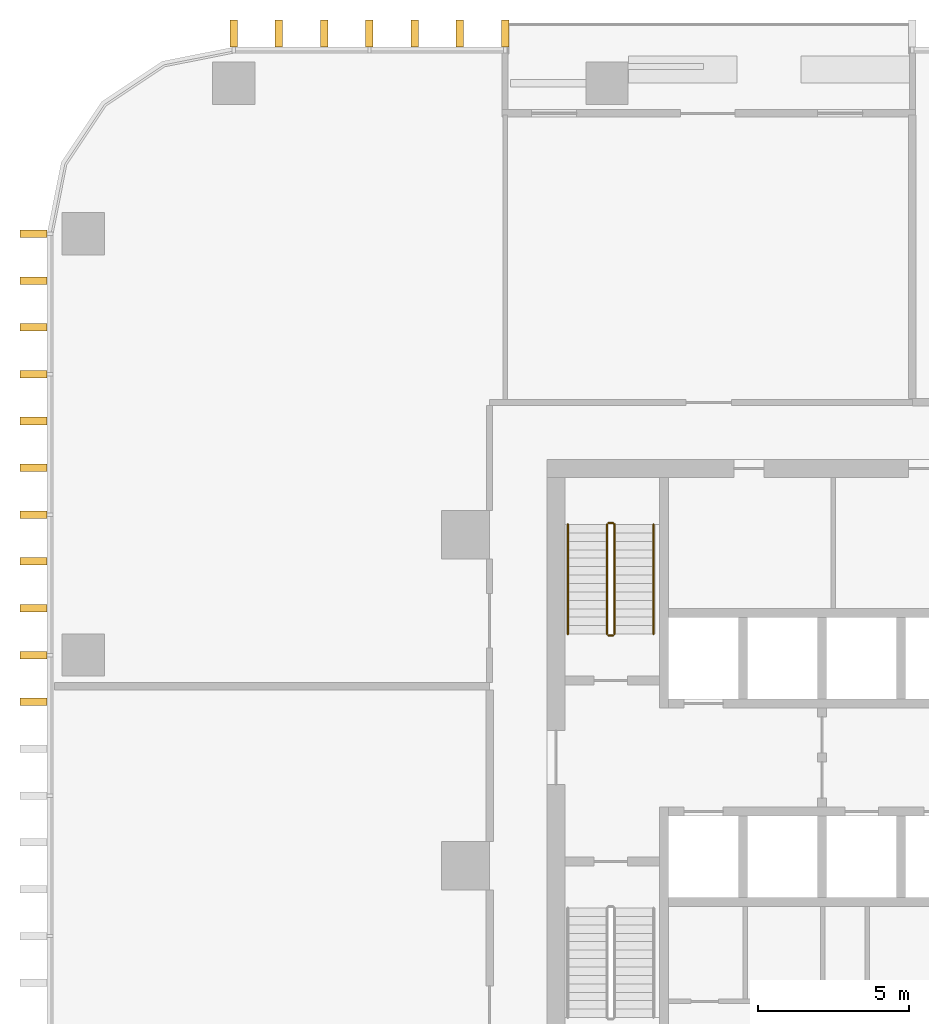
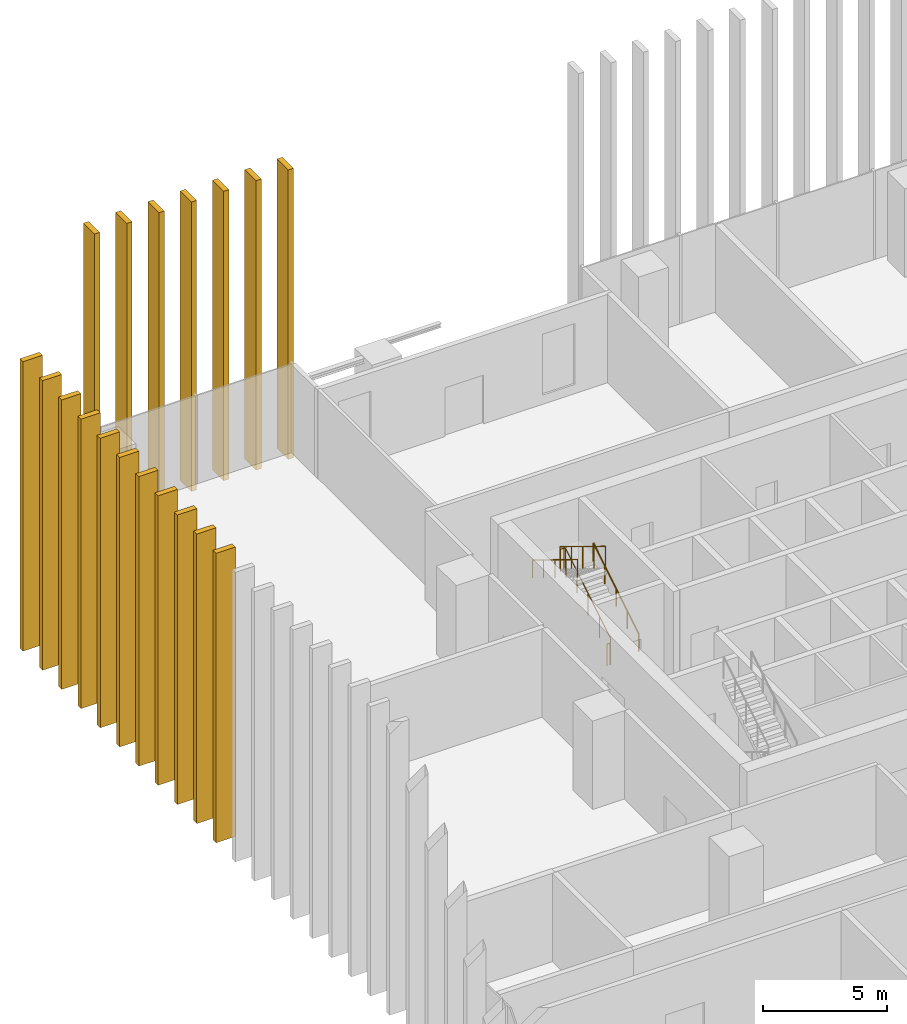
# One storey, part 15 of 17: 18 shading devices, 5 railings.
"""IFC4 building model written with IfcOpenShell, lengths in metres."""

from ifc_helpers import new_model, si_unit, direction, frame, origin, origin_2d, place, context, subcontext, project, spatial, rectangle, circle, extrude, material, type_object, element, save


model = new_model("IFC4")

# Units and contexts
model_context = context("Model", 3, precision=1e-05, world=origin(), true_north=direction((0.0, 1.0)))
body_context = subcontext(model_context, "Body", "Model", "MODEL_VIEW")
ifc_project = project(units=[si_unit("LENGTHUNIT", "METRE"), si_unit("AREAUNIT", "SQUARE_METRE"), si_unit("VOLUMEUNIT", "CUBIC_METRE"), si_unit("PLANEANGLEUNIT", "RADIAN"), si_unit("MASSUNIT", "GRAM", prefix="KILO")], contexts=[model_context])

# Site, building, storey
site_placement = place(None, origin())
site = spatial("IfcSite", under=ifc_project, at=site_placement, CompositionType="ELEMENT")
building_placement = place(site_placement, origin())
building = spatial("IfcBuilding", under=site, at=building_placement, Name="Mopane Tessera Tower", CompositionType="ELEMENT")
storey_placement = place(building_placement, frame((0.0, 0.0, 74.199951171875)))
storey = spatial("IfcBuildingStorey", under=building, at=storey_placement, Name="L14", CompositionType="ELEMENT", Elevation=74.199951171875)

# Shading devices
ifc_material_1 = material(Name="Glazed ceramic tile")
shading_device_type = type_object("IfcShadingDeviceType", Name="Ceramic tile fin 900 x 250 mm", PredefinedType="USERDEFINED", material=ifc_material_1)
for number, where, z_axis, x_axis, name in (
    (1, (-15.78173828125, 27.64990234375, -0.449951171875), (0.0, 0.0, 1.0), (-1.0, 0.0, 0.0), "e:fin:L14:N:9:0"),
    (2, (-17.284912109375, 27.64990234375, -0.449951171875), (0.0, 0.0, 1.0), (-1.0, 0.0, 0.0), "e:fin:L14:N:9:1"),
    (3, (-18.787841796875, 27.64990234375, -0.449951171875), (0.0, 0.0, 1.0), (-1.0, 0.0, 0.0), "e:fin:L14:N:9:2"),
    (4, (-20.291015625, 27.64990234375, -0.449951171875), (0.0, 0.0, 1.0), (-1.0, 0.0, 0.0), "e:fin:L14:N:10:0"),
    (5, (-21.7939453125, 27.64990234375, -0.449951171875), (0.0, 0.0, 1.0), (-1.0, 0.0, 0.0), "e:fin:L14:N:10:1"),
    (6, (-23.296875, 27.64990234375, -0.449951171875), (0.0, 0.0, 1.0), (-1.0, 0.0, 0.0), "e:fin:L14:N:10:2"),
    (7, (-24.800048828125, 27.64990234375, -0.449951171875), (0.0, 0.0, 1.0), (-1.0, 0.0, 0.0), "e:fin:L14:N:10:3"),
    (8, (-31.449951171875, 21.0, -0.449951171875), (0.0, 0.0, 1.0), (0.0, -1.0, 0.0), "e:fin:L14:W:0:0"),
    (9, (-31.449951171875, 19.4443359375, -0.449951171875), (0.0, 0.0, 1.0), (0.0, -1.0, 0.0), "e:fin:L14:W:0:1"),
    (10, (-31.449951171875, 17.888916015625, -0.449951171875), (0.0, 0.0, 1.0), (0.0, -1.0, 0.0), "e:fin:L14:W:0:2"),
    (11, (-31.449951171875, 16.333251953125, -0.449951171875), (0.0, 0.0, 1.0), (0.0, -1.0, 0.0), "e:fin:L14:W:1:0"),
    (12, (-31.449951171875, 14.77783203125, -0.449951171875), (0.0, 0.0, 1.0), (0.0, -1.0, 0.0), "e:fin:L14:W:1:1"),
    (13, (-31.449951171875, 13.22216796875, -0.449951171875), (0.0, 0.0, 1.0), (0.0, -1.0, 0.0), "e:fin:L14:W:1:2"),
    (14, (-31.449951171875, 11.666748046875, -0.449951171875), (0.0, 0.0, 1.0), (0.0, -1.0, 0.0), "e:fin:L14:W:2:0"),
    (15, (-31.449951171875, 10.111083984375, -0.449951171875), (0.0, 0.0, 1.0), (0.0, -1.0, 0.0), "e:fin:L14:W:2:1"),
    (16, (-31.449951171875, 8.5556640625, -0.449951171875), (0.0, 0.0, 1.0), (0.0, -1.0, 0.0), "e:fin:L14:W:2:2"),
    (17, (-31.449951171875, 7.0, -0.449951171875), (0.0, 0.0, 1.0), (0.0, -1.0, 0.0), "e:fin:L14:W:3:0"),
    (18, (-31.449951171875, 5.4443359375, -0.449951171875), (0.0, 0.0, 1.0), (0.0, -1.0, 0.0), "e:fin:L14:W:3:1"),
):
    element("IfcShadingDevice", number, at=place(storey_placement, frame(where, z_axis=z_axis, x_axis=x_axis)), inside=storey, type_object=shading_device_type, Name=name, ObjectType="FIN", PredefinedType="USERDEFINED", context=body_context, shape_type="SweptSolid", body=[
        extrude(rectangle(XDim=0.25, YDim=0.89990234375, at=origin_2d()), origin(), (0.0, 0.0, 1.0), 14.25),
    ])

# Railings
ifc_material_2 = material(Name="Powder-coated steel balustrade", Category="steel")
railing_type_1 = type_object("IfcRailingType", Name="Escape stair guard 1100 mm", PredefinedType="GUARDRAIL", material=ifc_material_2)
railing_1_placement = place(storey_placement, frame((-12.14990234375, 7.699951171875, 0.17138671875)))
element("IfcRailing", 19, at=railing_1_placement, inside=storey, type_object=railing_type_1, Name="L14 ST2 stair guard 1", PredefinedType="GUARDRAIL", context=body_context, shape_type="SweptSolid", body=[
    extrude(circle(Radius=0.02392578125, at=origin_2d()), frame((0.0, 0.0, 1.076171875), z_axis=(0.0, 0.852840387347, 0.522171689878), x_axis=(-1.0, 0.0, 0.0)), (0.0, 0.0, 1.0), 4.268310546875),
    extrude(circle(Radius=0.02392578125, at=origin_2d()), frame((0.0, 3.64013671875, 3.3046875), z_axis=(-0.708833529934, 0.705375805398, 0.0), x_axis=(-0.705375805398, -0.708833529934, 0.0)), (0.0, 0.0, 1.0), 0.070556640625),
    extrude(circle(Radius=0.02392578125, at=origin_2d()), frame((-0.050048828125, 3.68994140625, 3.3046875), z_axis=(-1.0, 0.0, 0.0), x_axis=(0.0, -1.0, 0.0)), (0.0, 0.0, 1.0), 0.150146484375),
    extrude(circle(Radius=0.02099609375, at=origin_2d()), origin(), (0.0, 0.0, 1.0), 1.052001953125),
    extrude(circle(Radius=0.02099609375, at=origin_2d()), frame((0.0, 0.91015625, 0.55712890625)), (0.0, 0.0, 1.0), 1.052001953125),
    extrude(circle(Radius=0.02099609375, at=origin_2d()), frame((0.0, 1.820068359375, 1.1142578125)), (0.0, 0.0, 1.0), 1.052001953125),
    extrude(circle(Radius=0.02099609375, at=origin_2d()), frame((0.0, 2.72998046875, 1.671630859375)), (0.0, 0.0, 1.0), 1.052001953125),
    extrude(circle(Radius=0.02099609375, at=origin_2d()), frame((0.0, 3.64013671875, 2.228759765625)), (0.0, 0.0, 1.0), 1.052001953125),
    extrude(circle(Radius=0.02099609375, at=origin_2d()), frame((-0.050048828125, 3.68994140625, 2.228759765625)), (0.0, 0.0, 1.0), 1.052001953125),
    extrude(circle(Radius=0.02099609375, at=origin_2d()), frame((-0.2001953125, 3.68994140625, 2.228759765625)), (0.0, 0.0, 1.0), 1.052001953125),
])
railing_2_placement = place(storey_placement, frame((-12.39990234375, 11.340087890625, 2.571533203125)))
element("IfcRailing", 20, at=railing_2_placement, inside=storey, type_object=railing_type_1, Name="L14 ST2 stair guard 2", PredefinedType="GUARDRAIL", context=body_context, shape_type="SweptSolid", body=[
    extrude(circle(Radius=0.02392578125, at=origin_2d()), frame((0.0, 0.0, 1.076171875), z_axis=(0.0, -0.852865859571, 0.52213008492), x_axis=(1.0, 0.0, 0.0)), (0.0, 0.0, 1.0), 4.26806640625),
    extrude(circle(Radius=0.02099609375, at=origin_2d()), origin(), (0.0, 0.0, 1.0), 1.052001953125),
    extrude(circle(Radius=0.02099609375, at=origin_2d()), frame((0.0, -0.91015625, 0.55712890625)), (0.0, 0.0, 1.0), 1.052001953125),
    extrude(circle(Radius=0.02099609375, at=origin_2d()), frame((0.0, -1.820068359375, 1.1142578125)), (0.0, 0.0, 1.0), 1.052001953125),
    extrude(circle(Radius=0.02099609375, at=origin_2d()), frame((0.0, -2.72998046875, 1.67138671875)), (0.0, 0.0, 1.0), 1.052001953125),
    extrude(circle(Radius=0.02099609375, at=origin_2d()), frame((0.0, -3.64013671875, 2.228515625)), (0.0, 0.0, 1.0), 1.052001953125),
])
railing_3_placement = place(storey_placement, frame((-12.199951171875, 7.64990234375, 0.0)))
element("IfcRailing", 21, at=railing_3_placement, inside=storey, type_object=railing_type_1, Name="L14 ST2 stair guard 3", PredefinedType="GUARDRAIL", context=body_context, shape_type="SweptSolid", body=[
    extrude(circle(Radius=0.02392578125, at=origin_2d()), frame((0.0, 0.0, 1.076171875), z_axis=(-1.0, 0.0, 0.0), x_axis=(0.0, -1.0, 0.0)), (0.0, 0.0, 1.0), 0.150146484375),
    extrude(circle(Radius=0.02099609375, at=origin_2d()), origin(), (0.0, 0.0, 1.0), 1.052001953125),
    extrude(circle(Radius=0.02099609375, at=origin_2d()), frame((-0.150146484375, 0.0, 0.0)), (0.0, 0.0, 1.0), 1.052001953125),
])
ifc_material_3 = material(Name="Powder-coated steel balustrade", Category="steel")
railing_type_2 = type_object("IfcRailingType", Name="Escape stair handrail 900 mm", PredefinedType="HANDRAIL", material=ifc_material_3)
railing_4_placement = place(storey_placement, frame((-10.85009765625, 7.699951171875, 0.17138671875)))
element("IfcRailing", 22, at=railing_4_placement, inside=storey, type_object=railing_type_2, Name="L14 ST2 stair handrail 1", PredefinedType="HANDRAIL", context=body_context, shape_type="SweptSolid", body=[
    extrude(circle(Radius=0.02392578125, at=origin_2d()), frame((0.0, 0.0, 0.8759765625), z_axis=(0.0, 0.852840387347, 0.522171689878), x_axis=(-1.0, 0.0, 0.0)), (0.0, 0.0, 1.0), 4.268310546875),
    extrude(circle(Radius=0.02099609375, at=origin_2d()), origin(), (0.0, 0.0, 1.0), 0.851806640625),
    extrude(circle(Radius=0.02099609375, at=origin_2d()), frame((0.0, 0.91015625, 0.55712890625)), (0.0, 0.0, 1.0), 0.851806640625),
    extrude(circle(Radius=0.02099609375, at=origin_2d()), frame((0.0, 1.820068359375, 1.1142578125)), (0.0, 0.0, 1.0), 0.851806640625),
    extrude(circle(Radius=0.02099609375, at=origin_2d()), frame((0.0, 2.72998046875, 1.671630859375)), (0.0, 0.0, 1.0), 0.851806640625),
    extrude(circle(Radius=0.02099609375, at=origin_2d()), frame((0.0, 3.64013671875, 2.228759765625)), (0.0, 0.0, 1.0), 0.851806640625),
])
railing_5_placement = place(storey_placement, frame((-13.699951171875, 11.340087890625, 2.571533203125)))
element("IfcRailing", 23, at=railing_5_placement, inside=storey, type_object=railing_type_2, Name="L14 ST2 stair handrail 2", PredefinedType="HANDRAIL", context=body_context, shape_type="SweptSolid", body=[
    extrude(circle(Radius=0.02392578125, at=origin_2d()), frame((0.0, 0.0, 0.8759765625), z_axis=(0.0, -0.852865859571, 0.52213008492), x_axis=(1.0, 0.0, 0.0)), (0.0, 0.0, 1.0), 4.26806640625),
    extrude(circle(Radius=0.02099609375, at=origin_2d()), origin(), (0.0, 0.0, 1.0), 0.851806640625),
    extrude(circle(Radius=0.02099609375, at=origin_2d()), frame((0.0, -0.91015625, 0.55712890625)), (0.0, 0.0, 1.0), 0.851806640625),
    extrude(circle(Radius=0.02099609375, at=origin_2d()), frame((0.0, -1.820068359375, 1.1142578125)), (0.0, 0.0, 1.0), 0.851806640625),
    extrude(circle(Radius=0.02099609375, at=origin_2d()), frame((0.0, -2.72998046875, 1.67138671875)), (0.0, 0.0, 1.0), 0.851806640625),
    extrude(circle(Radius=0.02099609375, at=origin_2d()), frame((0.0, -3.64013671875, 2.228515625)), (0.0, 0.0, 1.0), 0.851806640625),
])

save(model, "model.ifc")
